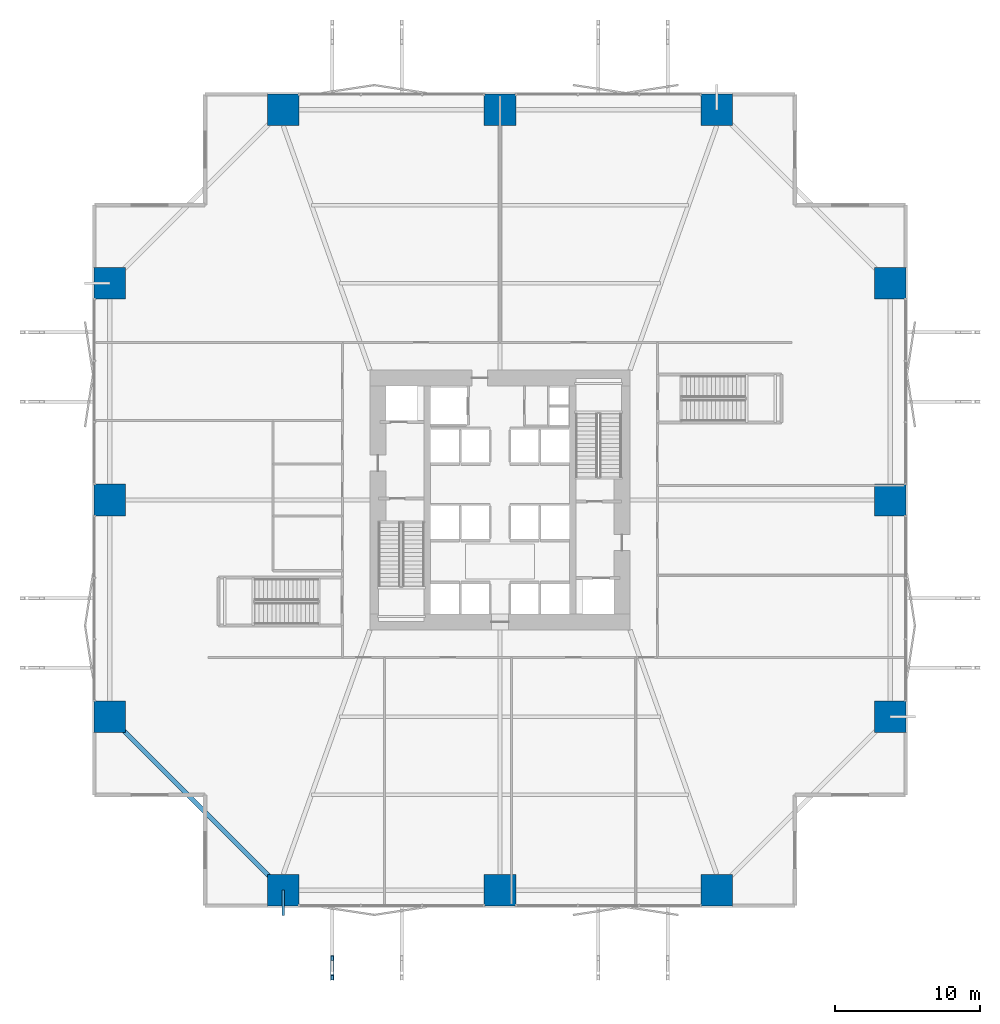
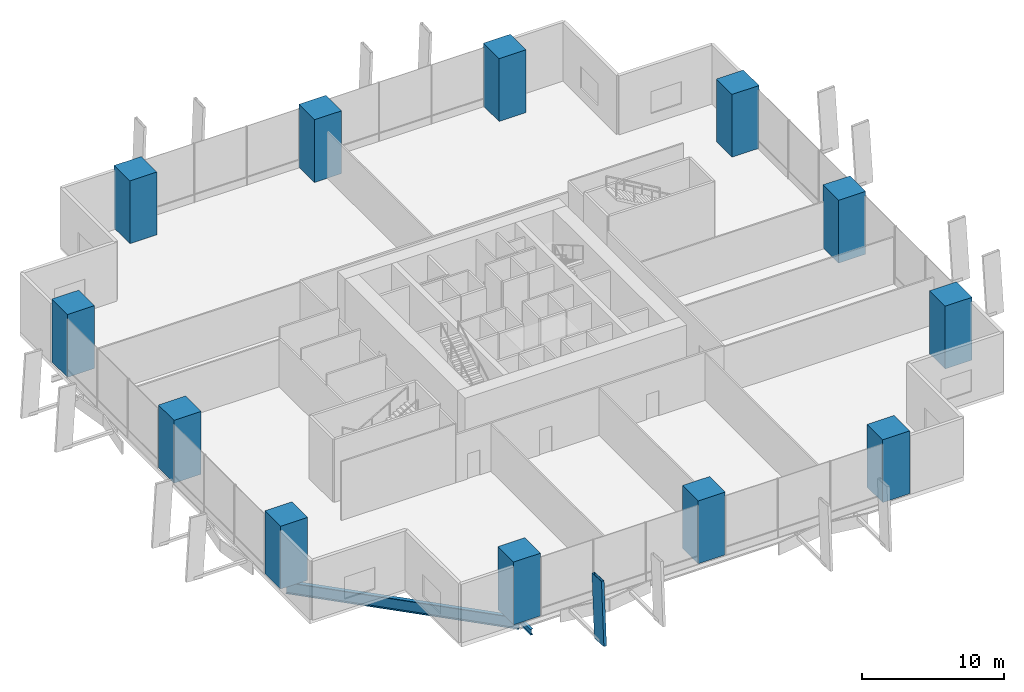
# One storey, part 1 of 24: 12 columns, 2 beams, 1 member.
"""IFC4 building model written with IfcOpenShell, lengths in metres."""

from ifc_helpers import new_model, si_unit, direction, frame, origin, origin_2d, place, context, subcontext, project, spatial, rectangle, hollow_rectangle, i_section, extrude, material, material_profile, profile_set, type_object, element, save


model = new_model("IFC4")

# Units and contexts
model_context = context("Model", 3, precision=1e-05, world=origin(), true_north=direction((0.0, 1.0)))
body_context = subcontext(model_context, "Body", "Model", "MODEL_VIEW")
ifc_project = project(units=[si_unit("LENGTHUNIT", "METRE"), si_unit("AREAUNIT", "SQUARE_METRE"), si_unit("VOLUMEUNIT", "CUBIC_METRE"), si_unit("PLANEANGLEUNIT", "RADIAN"), si_unit("MASSUNIT", "GRAM", prefix="KILO")], contexts=[model_context])

# Site, building, storey
site_placement = place(None, origin())
site = spatial("IfcSite", under=ifc_project, at=site_placement, CompositionType="ELEMENT")
building_placement = place(site_placement, origin())
building = spatial("IfcBuilding", under=site, at=building_placement, Name="Belovzor Exchange Tower", CompositionType="ELEMENT")
storey_placement = place(building_placement, frame((0.0, 0.0, 13.800048828125)))
storey = spatial("IfcBuildingStorey", under=building, at=storey_placement, Name="L03", CompositionType="ELEMENT", Elevation=13.800048828125)

# Columns
ifc_material_1 = material(Name="Concrete C60/75", Category="concrete")
ifc_material_profile_1 = material_profile(ifc_material_1, rectangle(XDim=2.199951171875, YDim=2.199951171875, at=origin_2d()))
ifc_profile_set_1 = profile_set([ifc_material_profile_1], Name="Concrete C60/75")
column_type = type_object("IfcColumnType", Name="Sculpted Mega-Pilotis Composite Column 2200x2200", PredefinedType="PILASTER", material=ifc_profile_set_1)
for number, where, z_axis, x_axis, name in (
    (1, (13.800048828125, 1.800048828125, 0.001953125), (0.0, 0.0, 1.0), (1.0, 0.0, 0.0), "COL-MP220 Sculpted Mega-Pilotis Composite Column 2200x2200"),
    (2, (28.800048828125, 1.800048828125, 0.001953125), (0.0, 0.0, 1.0), (1.0, 0.0, 0.0), "COL-MP220 Sculpted Mega-Pilotis Composite Column 2200x2200"),
    (3, (43.800048828125, 1.800048828125, 0.001953125), (0.0, 0.0, 1.0), (1.0, 0.0, 0.0), "COL-MP220 Sculpted Mega-Pilotis Composite Column 2200x2200"),
    (4, (55.800048828125, 13.800048828125, 0.001953125), (0.0, 0.0, 1.0), (1.0, 0.0, 0.0), "COL-MP220 Sculpted Mega-Pilotis Composite Column 2200x2200"),
    (5, (55.800048828125, 28.800048828125, 0.001953125), (0.0, 0.0, 1.0), (1.0, 0.0, 0.0), "COL-MP220 Sculpted Mega-Pilotis Composite Column 2200x2200"),
    (6, (55.800048828125, 43.800048828125, 0.001953125), (0.0, 0.0, 1.0), (1.0, 0.0, 0.0), "COL-MP220 Sculpted Mega-Pilotis Composite Column 2200x2200"),
    (7, (43.800048828125, 55.800048828125, 0.001953125), (0.0, 0.0, 1.0), (1.0, 0.0, 0.0), "COL-MP220 Sculpted Mega-Pilotis Composite Column 2200x2200"),
    (8, (28.800048828125, 55.800048828125, 0.001953125), (0.0, 0.0, 1.0), (1.0, 0.0, 0.0), "COL-MP220 Sculpted Mega-Pilotis Composite Column 2200x2200"),
    (9, (13.800048828125, 55.800048828125, 0.001953125), (0.0, 0.0, 1.0), (1.0, 0.0, 0.0), "COL-MP220 Sculpted Mega-Pilotis Composite Column 2200x2200"),
    (10, (1.800048828125, 43.800048828125, 0.001953125), (0.0, 0.0, 1.0), (1.0, 0.0, 0.0), "COL-MP220 Sculpted Mega-Pilotis Composite Column 2200x2200"),
    (11, (1.800048828125, 28.800048828125, 0.001953125), (0.0, 0.0, 1.0), (1.0, 0.0, 0.0), "COL-MP220 Sculpted Mega-Pilotis Composite Column 2200x2200"),
    (12, (1.800048828125, 13.800048828125, 0.001953125), (0.0, 0.0, 1.0), (1.0, 0.0, 0.0), "COL-MP220 Sculpted Mega-Pilotis Composite Column 2200x2200"),
):
    element("IfcColumn", number, at=place(storey_placement, frame(where, z_axis=z_axis, x_axis=x_axis)), inside=storey, type_object=column_type, Name=name, PredefinedType="PILASTER", context=body_context, shape_type="SweptSolid", body=[
        extrude(rectangle(XDim=2.199951171875, YDim=2.199951171875, at=origin_2d()), origin(), (0.0, 0.0, 1.0), 5.39599609375),
    ])

# Member
ifc_material_2 = material(Name="Extruded Architectural Terracotta on Steel S355 Carrier", Category="masonry")
ifc_material_profile_2 = material_profile(ifc_material_2, hollow_rectangle(XDim=0.219970703125, YDim=1.35009765625, WallThickness=0.013916015625, at=origin_2d()))
ifc_profile_set_2 = profile_set([ifc_material_profile_2], Name="Extruded Architectural Terracotta on Steel S355 Carrier")
member_type = type_object("IfcMemberType", Name="Base Arc Sweeping Terracotta Pylon Fin 1450", PredefinedType="USERDEFINED", material=ifc_profile_set_2)
member_placement = place(storey_placement, frame((17.199951171875, -3.739990234375, -0.35009765625), z_axis=(0.0, 0.062448514419, 0.998048186736), x_axis=(-1.0, 0.0, 0.0)))
element("IfcMember", 13, at=member_placement, inside=storey, type_object=member_type, Name="FIN-TC145 Terracotta Facade Fin L03 S1", ObjectType="FIN", PredefinedType="USERDEFINED", context=body_context, shape_type="SweptSolid", body=[
    extrude(hollow_rectangle(XDim=0.219970703125, YDim=1.35009765625, WallThickness=0.013916015625, at=origin_2d()), origin(), (0.0, 0.0, 1.0), 5.41064453125),
])

# Beams
ifc_material_3 = material(Name="Steel S355", Category="steel")
ifc_material_profile_3 = material_profile(ifc_material_3, i_section(OverallWidth=0.199951171875, OverallDepth=0.5, WebThickness=0.01025390625, FlangeThickness=0.01611328125, at=origin_2d()))
ifc_profile_set_3 = profile_set([ifc_material_profile_3], Name="Steel S355")
beam_type_1 = type_object("IfcBeamType", Name="Planted Balcony Cantilever Beam IPE 500", PredefinedType="BEAM", material=ifc_profile_set_3)
beam_1_placement = place(storey_placement, frame((13.800048828125, 1.800048828125, -0.60009765625), z_axis=(0.0, -1.0, 0.0), x_axis=(1.0, 0.0, 0.0)))
element("IfcBeam", 14, at=beam_1_placement, inside=storey, type_object=beam_type_1, Name="BC-500 Planted Balcony Cantilever Beam IPE 500", PredefinedType="BEAM", context=body_context, shape_type="SweptSolid", body=[
    extrude(i_section(OverallWidth=0.199951171875, OverallDepth=0.5, WebThickness=0.01025390625, FlangeThickness=0.01611328125, at=origin_2d()), origin(), (0.0, 0.0, 1.0), 1.75),
])
ifc_material_4 = material(Name="Steel S460", Category="steel")
ifc_material_profile_4 = material_profile(ifc_material_4, i_section(OverallWidth=0.300048828125, OverallDepth=1.0, WebThickness=0.02099609375, FlangeThickness=0.0400390625, at=origin_2d()))
ifc_profile_set_4 = profile_set([ifc_material_profile_4], Name="Steel S460")
beam_type_2 = type_object("IfcBeamType", Name="Podium Exchange Hall Ring Girder HEM 1000", PredefinedType="BEAM", material=ifc_profile_set_4)
beam_2_placement = place(storey_placement, frame((1.800048828125, 13.800048828125, -0.85009765625), z_axis=(0.707106781187, -0.707106781187, 0.0), x_axis=(0.707106781187, 0.707106781187, 0.0)))
element("IfcBeam", 15, at=beam_2_placement, inside=storey, type_object=beam_type_2, Name="PG-1 Podium Exchange Hall Ring Girder HEM 1000", PredefinedType="BEAM", context=body_context, shape_type="SweptSolid", body=[
    extrude(i_section(OverallWidth=0.300048828125, OverallDepth=1.0, WebThickness=0.02099609375, FlangeThickness=0.0400390625, at=origin_2d()), origin(), (0.0, 0.0, 1.0), 16.970458984375),
])

save(model, "model.ifc")
